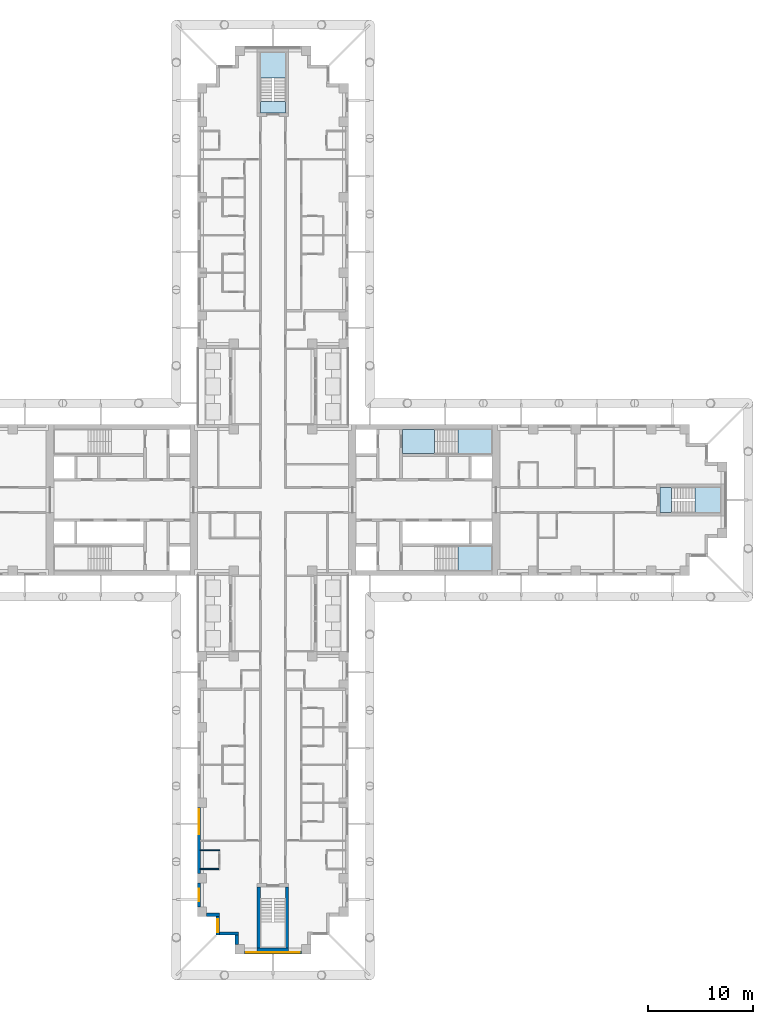
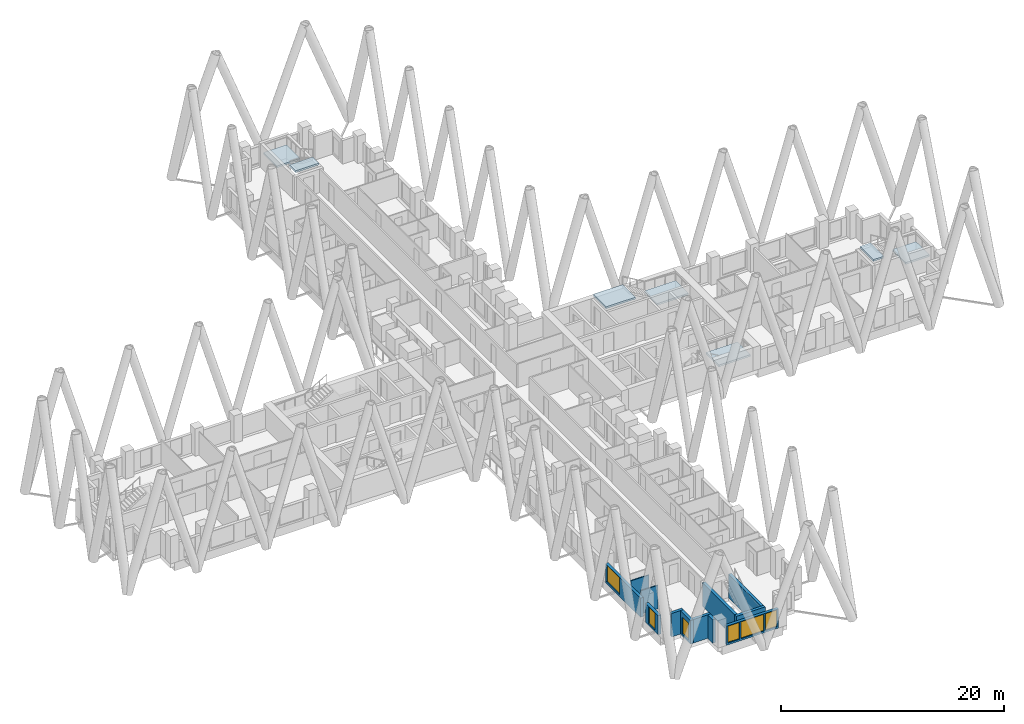
# One storey, part 3 of 17: 12 walls, 7 slabs, 6 windows, 6 openings, 4 elements without a shape of their own.
"""IFC4 building model written with IfcOpenShell, lengths in metres."""

from ifc_helpers import new_model, si_unit, direction, frame, frame_2d, origin, place, context, subcontext, project, spatial, polyline, rectangle, outline, extrude, material, layer, layer_set, type_object, element, fill, aggregate, save


model = new_model("IFC4")

# Units and contexts
model_context = context("Model", 3, precision=1e-05, world=origin(), true_north=direction((0.0, 1.0)))
body_context = subcontext(model_context, "Body", "Model", "MODEL_VIEW")
ifc_project = project(units=[si_unit("LENGTHUNIT", "METRE"), si_unit("AREAUNIT", "SQUARE_METRE"), si_unit("VOLUMEUNIT", "CUBIC_METRE"), si_unit("PLANEANGLEUNIT", "RADIAN"), si_unit("MASSUNIT", "GRAM", prefix="KILO")], contexts=[model_context])

# Site, building, storey
site_placement = place(None, origin())
site = spatial("IfcSite", under=ifc_project, at=site_placement, CompositionType="ELEMENT")
building_placement = place(site_placement, origin())
building = spatial("IfcBuilding", under=site, at=building_placement, Name="Fustian Cross Tower", CompositionType="ELEMENT")
storey_placement = place(building_placement, frame((0.0, 0.0, 32.699951171875)))
storey = spatial("IfcBuildingStorey", under=building, at=storey_placement, Name="L09", CompositionType="ELEMENT", Elevation=32.699951171875)

# Stair, slabs
ifc_material_1 = material(Name="Concrete C50/60", Category="concrete")
stair_type_1 = type_object("IfcStairType", Name="STAIR 1150 HALF TURN", PredefinedType="HALF_TURN_STAIR", material=ifc_material_1)
stair_1_placement = place(storey_placement, origin())
stair_1 = element("IfcStair", 1, at=stair_1_placement, inside=storey, type_object=stair_type_1, Name="Stair ST1", PredefinedType="HALF_TURN_STAIR")
ifc_material_2 = material(Name="Concrete C50/60", Category="concrete")
ifc_layer_1 = layer(ifc_material_2, 0.199951171875)
ifc_layer_set_1 = layer_set([ifc_layer_1], Name="Concrete C50/60")
slab_type = type_object("IfcSlabType", Name="STAIR LANDING", PredefinedType="LANDING", material=ifc_layer_set_1)
slab_1_placement = place(storey_placement, frame((0.0, 0.0, 1.300048828125)))
slab_1 = element("IfcSlab", 2, at=slab_1_placement, type_object=slab_type, Name="ST1 landing 1", PredefinedType="LANDING", context=body_context, shape_type="SweptSolid", body=[
    extrude(outline(polyline([(17.590087890625, 4.39990234375), (20.85009765625, 4.39990234375), (20.85009765625, 6.699951171875), (17.590087890625, 6.699951171875), (17.590087890625, 4.39990234375)])), origin(), (0.0, 0.0, 1.0), 0.199951171875),
])
slab_2_placement = place(storey_placement, frame((0.0, 0.0, 2.800048828125)))
slab_2 = element("IfcSlab", 3, at=slab_2_placement, type_object=slab_type, Name="ST1 landing 2", PredefinedType="LANDING", context=body_context, shape_type="SweptSolid", body=[
    extrude(outline(polyline([(12.300048828125, 4.39990234375), (15.35009765625, 4.39990234375), (15.35009765625, 6.699951171875), (12.300048828125, 6.699951171875), (12.300048828125, 4.39990234375)])), origin(), (0.0, 0.0, 1.0), 0.199951171875),
])
aggregate(stair_1, [slab_1, slab_2])

# Stair, slab
stair_2_placement = place(storey_placement, origin())
stair_2 = element("IfcStair", 4, at=stair_2_placement, inside=storey, type_object=stair_type_1, Name="Stair ST2", PredefinedType="HALF_TURN_STAIR")
slab_3_placement = place(storey_placement, frame((0.0, 0.0, 1.300048828125)))
slab_3 = element("IfcSlab", 5, at=slab_3_placement, type_object=slab_type, Name="ST2 landing 1", PredefinedType="LANDING", context=body_context, shape_type="SweptSolid", body=[
    extrude(outline(polyline([(17.590087890625, -4.39990234375), (20.85009765625, -4.39990234375), (20.85009765625, -6.699951171875), (17.590087890625, -6.699951171875), (17.590087890625, -4.39990234375)])), origin(), (0.0, 0.0, 1.0), 0.199951171875),
])
aggregate(stair_2, [slab_3])

# Stair, slabs
ifc_material_3 = material(Name="Concrete C50/60", Category="concrete")
stair_type_2 = type_object("IfcStairType", Name="STAIR 1100 HALF TURN", PredefinedType="HALF_TURN_STAIR", material=ifc_material_3)
stair_3_placement = place(storey_placement, origin())
stair_3 = element("IfcStair", 6, at=stair_3_placement, inside=storey, type_object=stair_type_2, Name="Stair ST5", PredefinedType="HALF_TURN_STAIR")
slab_4_placement = place(storey_placement, frame((0.0, 0.0, 1.300048828125)))
slab_4 = element("IfcSlab", 7, at=slab_4_placement, type_object=slab_type, Name="ST5 landing 1", PredefinedType="LANDING", context=body_context, shape_type="SweptSolid", body=[
    extrude(outline(polyline([(-1.199951171875, 40.139892578125), (-1.199951171875, 42.60009765625), (1.199951171875, 42.60009765625), (1.199951171875, 40.139892578125), (-1.199951171875, 40.139892578125)])), origin(), (0.0, 0.0, 1.0), 0.199951171875),
])
slab_5_placement = place(storey_placement, frame((0.0, 0.0, 2.800048828125)))
slab_5 = element("IfcSlab", 8, at=slab_5_placement, type_object=slab_type, Name="ST5 landing 2", PredefinedType="LANDING", context=body_context, shape_type="SweptSolid", body=[
    extrude(outline(polyline([(-1.199951171875, 36.800048828125), (-1.199951171875, 37.89990234375), (1.199951171875, 37.89990234375), (1.199951171875, 36.800048828125), (-1.199951171875, 36.800048828125)])), origin(), (0.0, 0.0, 1.0), 0.199951171875),
])
aggregate(stair_3, [slab_4, slab_5])

stair_4_placement = place(storey_placement, origin())
stair_4 = element("IfcStair", 9, at=stair_4_placement, inside=storey, type_object=stair_type_2, Name="Stair ST8", PredefinedType="HALF_TURN_STAIR")
slab_6_placement = place(storey_placement, frame((0.0, 0.0, 1.300048828125)))
slab_6 = element("IfcSlab", 10, at=slab_6_placement, type_object=slab_type, Name="ST8 landing 1", PredefinedType="LANDING", context=body_context, shape_type="SweptSolid", body=[
    extrude(outline(polyline([(40.139892578125, -1.199951171875), (42.60009765625, -1.199951171875), (42.60009765625, 1.199951171875), (40.139892578125, 1.199951171875), (40.139892578125, -1.199951171875)])), origin(), (0.0, 0.0, 1.0), 0.199951171875),
])
slab_7_placement = place(storey_placement, frame((0.0, 0.0, 2.800048828125)))
slab_7 = element("IfcSlab", 11, at=slab_7_placement, type_object=slab_type, Name="ST8 landing 2", PredefinedType="LANDING", context=body_context, shape_type="SweptSolid", body=[
    extrude(outline(polyline([(36.800048828125, -1.199951171875), (37.89990234375, -1.199951171875), (37.89990234375, 1.199951171875), (36.800048828125, 1.199951171875), (36.800048828125, -1.199951171875)])), origin(), (0.0, 0.0, 1.0), 0.199951171875),
])
aggregate(stair_4, [slab_6, slab_7])

# Walls
ifc_material_4 = material(Name="Plasterboard on steel stud", Category="steel")
ifc_layer_2 = layer(ifc_material_4, 0.10009765625)
ifc_layer_set_2 = layer_set([ifc_layer_2], Name="Plasterboard on steel stud")
wall_type_1 = type_object("IfcWallType", Name="PARTITION 100 STUD", PredefinedType="PARTITIONING", material=ifc_layer_set_2)
wall_1_placement = place(storey_placement, frame((-6.89990234375, -35.10009765625, 0.0), z_axis=(0.0, 0.0, 1.0), x_axis=(1.0, 0.0, 0.0)))
element("IfcWall", 12, at=wall_1_placement, inside=storey, type_object=wall_type_1, Name="Partition 9", PredefinedType="PARTITIONING", context=body_context, shape_type="SweptSolid", body=[
    extrude(rectangle(XDim=1.75, YDim=0.10009765625, at=frame_2d((0.875, 0.0))), origin(), (0.0, 0.0, 1.0), 2.574951171875),
])
wall_2_placement = place(storey_placement, frame((-6.89990234375, -33.300048828125, 0.0), z_axis=(0.0, 0.0, 1.0), x_axis=(1.0, 0.0, 0.0)))
element("IfcWall", 13, at=wall_2_placement, inside=storey, type_object=wall_type_1, Name="Partition 10", PredefinedType="PARTITIONING", context=body_context, shape_type="SweptSolid", body=[
    extrude(rectangle(XDim=1.849853515625, YDim=0.10009765625, at=frame_2d((0.9248046875, 0.0))), origin(), (0.0, 0.0, 1.0), 2.574951171875),
])
ifc_material_5 = material(Name="Concrete C50/60", Category="concrete")
ifc_layer_3 = layer(ifc_material_5, 0.300048828125)
ifc_layer_set_3 = layer_set([ifc_layer_3], Name="Concrete C50/60")
wall_type_2 = type_object("IfcWallType", Name="STAIR ENCLOSURE WALL 300 C50/60", PredefinedType="SHEAR", material=ifc_layer_set_3)
wall_3_placement = place(storey_placement, frame((-1.5, -42.75, 0.0), z_axis=(0.0, 0.0, 1.0), x_axis=(1.0, 0.0, 0.0)))
element("IfcWall", 14, at=wall_3_placement, inside=storey, type_object=wall_type_2, Name="Stair enclosure wall", PredefinedType="SHEAR", context=body_context, shape_type="SweptSolid", body=[
    extrude(rectangle(XDim=3.0, YDim=0.300048828125, at=frame_2d((1.5, 0.0))), origin(), (0.0, 0.0, 1.0), 2.574951171875),
])
for number, where, z_axis, x_axis, name in (
    (15, (-1.35009765625, -36.800048828125, 0.0), (0.0, 0.0, 1.0), (0.0, -1.0, 0.0), "Stair enclosure wall"),
    (16, (1.35009765625, -36.800048828125, 0.0), (0.0, 0.0, 1.0), (0.0, -1.0, 0.0), "Stair enclosure wall"),
):
    element("IfcWall", number, at=place(storey_placement, frame(where, z_axis=z_axis, x_axis=x_axis)), inside=storey, type_object=wall_type_2, Name=name, PredefinedType="SHEAR", context=body_context, shape_type="SweptSolid", body=[
        extrude(rectangle(XDim=5.800048828125, YDim=0.300048828125, at=frame_2d((2.89990234375, 0.0))), origin(), (0.0, 0.0, 1.0), 2.574951171875),
    ])

# Wall, opening, window
ifc_material_6 = material(Name="Dark aluminium cladding on insulated backing wall", Category="aluminium")
ifc_layer_4 = layer(ifc_material_6, 0.300048828125)
ifc_layer_set_4 = layer_set([ifc_layer_4], Name="Dark aluminium cladding on insulated backing wall")
wall_type_3 = type_object("IfcWallType", Name="XW1 EXTERNAL WALL 300", PredefinedType="SOLIDWALL", material=ifc_layer_set_4)
wall_4_placement = place(storey_placement, frame((-7.050048828125, -29.25, 0.0), z_axis=(0.0, 0.0, 1.0), x_axis=(0.0, -1.0, 0.0)))
wall_4 = element("IfcWall", 17, at=wall_4_placement, inside=storey, type_object=wall_type_3, Name="External wall", PredefinedType="SOLIDWALL", context=body_context, shape_type="SweptSolid", body=[
    extrude(rectangle(XDim=6.300048828125, YDim=0.300048828125, at=frame_2d((3.14990234375, 0.0))), origin(), (0.0, 0.0, 1.0), 2.10009765625),
])
opening_1_placement = place(wall_4_placement, frame((0.14990234375, 0.0, 0.199951171875)))
opening_1 = element("IfcOpeningElement", 18, at=opening_1_placement, cuts=wall_4, Name="Opening WN1", PredefinedType="OPENING", context=body_context, shape_type="SweptSolid", body=[
    extrude(rectangle(XDim=2.39990234375, YDim=1.85009765625, at=frame_2d((1.199951171875, 0.925048828125))), frame((0.0, 0.159912109375, 0.0), z_axis=(0.0, -1.0, 0.0), x_axis=(1.0, 0.0, 0.0)), (0.0, 0.0, 1.0), 0.320068359375),
])
ifc_material_7 = material(Name="Dark anodised aluminium and double glazing", Category="aluminium")
window_type_1 = type_object("IfcWindowType", Name="WN1 WINDOW 2400X1850", PartitioningType="SINGLE_PANEL", PredefinedType="WINDOW", material=ifc_material_7)
window_1_placement = place(opening_1_placement, origin())
window_1 = element("IfcWindow", 19, at=window_1_placement, inside=storey, type_object=window_type_1, Name="Window", OverallHeight=1.85009765625, OverallWidth=2.39990234375, PartitioningType="SINGLE_PANEL", PredefinedType="WINDOW", context=body_context, shape_type="SweptSolid", body=[
    extrude(rectangle(XDim=2.39990234375, YDim=1.85009765625, at=frame_2d((1.199951171875, 0.925048828125))), frame((0.0, 0.030029296875, 0.0), z_axis=(0.0, -1.0, 0.0), x_axis=(1.0, 0.0, 0.0)), (0.0, 0.0, 1.0), 0.06005859375),
])
fill(opening_1, window_1)

wall_5_placement = place(storey_placement, frame((-7.050048828125, -36.449951171875, 0.0), z_axis=(0.0, 0.0, 1.0), x_axis=(0.0, -1.0, 0.0)))
wall_5 = element("IfcWall", 20, at=wall_5_placement, inside=storey, type_object=wall_type_3, Name="External wall", PredefinedType="SOLIDWALL", context=body_context, shape_type="SweptSolid", body=[
    extrude(rectangle(XDim=2.25, YDim=0.300048828125, at=frame_2d((1.125, 0.0))), origin(), (0.0, 0.0, 1.0), 2.10009765625),
])
opening_2_placement = place(wall_5_placement, frame((0.52490234375, 0.0, 0.199951171875)))
opening_2 = element("IfcOpeningElement", 21, at=opening_2_placement, cuts=wall_5, Name="Opening WN3", PredefinedType="OPENING", context=body_context, shape_type="SweptSolid", body=[
    extrude(rectangle(XDim=1.199951171875, YDim=1.85009765625, at=frame_2d((0.60009765625, 0.925048828125))), frame((0.0, 0.159912109375, 0.0), z_axis=(0.0, -1.0, 0.0), x_axis=(1.0, 0.0, 0.0)), (0.0, 0.0, 1.0), 0.320068359375),
])
ifc_material_8 = material(Name="Dark anodised aluminium and double glazing", Category="aluminium")
window_type_2 = type_object("IfcWindowType", Name="WN3 WINDOW 1200X1850", PartitioningType="SINGLE_PANEL", PredefinedType="WINDOW", material=ifc_material_8)
window_2_placement = place(opening_2_placement, origin())
window_2 = element("IfcWindow", 22, at=window_2_placement, inside=storey, type_object=window_type_2, Name="Window", OverallHeight=1.85009765625, OverallWidth=1.199951171875, PartitioningType="SINGLE_PANEL", PredefinedType="WINDOW", context=body_context, shape_type="SweptSolid", body=[
    extrude(rectangle(XDim=1.199951171875, YDim=1.85009765625, at=frame_2d((0.60009765625, 0.925048828125))), frame((0.0, 0.030029296875, 0.0), z_axis=(0.0, -1.0, 0.0), x_axis=(1.0, 0.0, 0.0)), (0.0, 0.0, 1.0), 0.06005859375),
])
fill(opening_2, window_2)

# Wall
wall_6_placement = place(storey_placement, frame((-6.300048828125, -39.449951171875, 0.0), z_axis=(0.0, 0.0, 1.0), x_axis=(1.0, 0.0, 0.0)))
element("IfcWall", 23, at=wall_6_placement, inside=storey, type_object=wall_type_3, Name="External wall", PredefinedType="SOLIDWALL", context=body_context, shape_type="SweptSolid", body=[
    extrude(rectangle(XDim=1.199951171875, YDim=0.300048828125, at=frame_2d((0.60009765625, 0.0))), origin(), (0.0, 0.0, 1.0), 2.574951171875),
])

# Wall, opening, window
wall_7_placement = place(storey_placement, frame((-5.25, -39.60009765625, 0.0), z_axis=(0.0, 0.0, 1.0), x_axis=(0.0, -1.0, 0.0)))
wall_7 = element("IfcWall", 24, at=wall_7_placement, inside=storey, type_object=wall_type_3, Name="External wall", PredefinedType="SOLIDWALL", context=body_context, shape_type="SweptSolid", body=[
    extrude(rectangle(XDim=1.7998046875, YDim=0.300048828125, at=frame_2d((0.89990234375, 0.0))), origin(), (0.0, 0.0, 1.0), 2.574951171875),
])
opening_3_placement = place(wall_7_placement, frame((0.300048828125, 0.0, 0.199951171875)))
opening_3 = element("IfcOpeningElement", 25, at=opening_3_placement, cuts=wall_7, Name="Opening WN3", PredefinedType="OPENING", context=body_context, shape_type="SweptSolid", body=[
    extrude(rectangle(XDim=1.199951171875, YDim=1.85009765625, at=frame_2d((0.60009765625, 0.925048828125))), frame((0.0, 0.159912109375, 0.0), z_axis=(0.0, -1.0, 0.0), x_axis=(1.0, 0.0, 0.0)), (0.0, 0.0, 1.0), 0.320068359375),
])
window_3_placement = place(opening_3_placement, origin())
window_3 = element("IfcWindow", 26, at=window_3_placement, inside=storey, type_object=window_type_2, Name="Window", OverallHeight=1.85009765625, OverallWidth=1.199951171875, PartitioningType="SINGLE_PANEL", PredefinedType="WINDOW", context=body_context, shape_type="SweptSolid", body=[
    extrude(rectangle(XDim=1.199951171875, YDim=1.85009765625, at=frame_2d((0.60009765625, 0.925048828125))), frame((0.0, 0.030029296875, 0.0), z_axis=(0.0, -1.0, 0.0), x_axis=(1.0, 0.0, 0.0)), (0.0, 0.0, 1.0), 0.06005859375),
])
fill(opening_3, window_3)

# Walls
wall_8_placement = place(storey_placement, frame((-5.10009765625, -41.25, 0.0), z_axis=(0.0, 0.0, 1.0), x_axis=(1.0, 0.0, 0.0)))
element("IfcWall", 27, at=wall_8_placement, inside=storey, type_object=wall_type_3, Name="External wall", PredefinedType="SOLIDWALL", context=body_context, shape_type="SweptSolid", body=[
    extrude(rectangle(XDim=1.800048828125, YDim=0.300048828125, at=frame_2d((0.89990234375, 0.0))), origin(), (0.0, 0.0, 1.0), 2.574951171875),
])
wall_9_placement = place(storey_placement, frame((-3.449951171875, -41.39990234375, 0.0), z_axis=(0.0, 0.0, 1.0), x_axis=(0.0, -1.0, 0.0)))
element("IfcWall", 28, at=wall_9_placement, inside=storey, type_object=wall_type_3, Name="External wall", PredefinedType="SOLIDWALL", context=body_context, shape_type="SweptSolid", body=[
    extrude(rectangle(XDim=0.900146484375, YDim=0.300048828125, at=frame_2d((0.4501953125, 0.0))), origin(), (0.0, 0.0, 1.0), 2.574951171875),
])

# Wall, openings, windows
wall_10_placement = place(storey_placement, frame((-2.699951171875, -43.050048828125, 0.0), z_axis=(0.0, 0.0, 1.0), x_axis=(1.0, 0.0, 0.0)))
wall_10 = element("IfcWall", 29, at=wall_10_placement, inside=storey, type_object=wall_type_3, Name="External wall", PredefinedType="SOLIDWALL", context=body_context, shape_type="SweptSolid", body=[
    extrude(rectangle(XDim=5.39990234375, YDim=0.300048828125, at=frame_2d((2.699951171875, 0.0))), origin(), (0.0, 0.0, 1.0), 2.10009765625),
])
opening_4_placement = place(wall_10_placement, frame((1.5, 0.0, 0.199951171875)))
opening_4 = element("IfcOpeningElement", 30, at=opening_4_placement, cuts=wall_10, Name="Opening WN1", PredefinedType="OPENING", context=body_context, shape_type="SweptSolid", body=[
    extrude(rectangle(XDim=2.39990234375, YDim=1.85009765625, at=frame_2d((1.199951171875, 0.925048828125))), frame((0.0, 0.159912109375, 0.0), z_axis=(0.0, -1.0, 0.0), x_axis=(1.0, 0.0, 0.0)), (0.0, 0.0, 1.0), 0.320068359375),
])
opening_5_placement = place(wall_10_placement, frame((0.14990234375, 0.0, 0.199951171875)))
opening_5 = element("IfcOpeningElement", 31, at=opening_5_placement, cuts=wall_10, Name="Opening WN3", PredefinedType="OPENING", context=body_context, shape_type="SweptSolid", body=[
    extrude(rectangle(XDim=1.199951171875, YDim=1.85009765625, at=frame_2d((0.60009765625, 0.925048828125))), frame((0.0, 0.159912109375, 0.0), z_axis=(0.0, -1.0, 0.0), x_axis=(1.0, 0.0, 0.0)), (0.0, 0.0, 1.0), 0.320068359375),
])
opening_6_placement = place(wall_10_placement, frame((4.050048828125, 0.0, 0.199951171875)))
opening_6 = element("IfcOpeningElement", 32, at=opening_6_placement, cuts=wall_10, Name="Opening WN3", PredefinedType="OPENING", context=body_context, shape_type="SweptSolid", body=[
    extrude(rectangle(XDim=1.199951171875, YDim=1.85009765625, at=frame_2d((0.60009765625, 0.925048828125))), frame((0.0, 0.159912109375, 0.0), z_axis=(0.0, -1.0, 0.0), x_axis=(1.0, 0.0, 0.0)), (0.0, 0.0, 1.0), 0.320068359375),
])
window_4_placement = place(opening_4_placement, origin())
window_4 = element("IfcWindow", 33, at=window_4_placement, inside=storey, type_object=window_type_1, Name="Window", OverallHeight=1.85009765625, OverallWidth=2.39990234375, PartitioningType="SINGLE_PANEL", PredefinedType="WINDOW", context=body_context, shape_type="SweptSolid", body=[
    extrude(rectangle(XDim=2.39990234375, YDim=1.85009765625, at=frame_2d((1.199951171875, 0.925048828125))), frame((0.0, 0.030029296875, 0.0), z_axis=(0.0, -1.0, 0.0), x_axis=(1.0, 0.0, 0.0)), (0.0, 0.0, 1.0), 0.06005859375),
])
fill(opening_4, window_4)
window_5_placement = place(opening_5_placement, origin())
window_5 = element("IfcWindow", 34, at=window_5_placement, inside=storey, type_object=window_type_2, Name="Window", OverallHeight=1.85009765625, OverallWidth=1.199951171875, PartitioningType="SINGLE_PANEL", PredefinedType="WINDOW", context=body_context, shape_type="SweptSolid", body=[
    extrude(rectangle(XDim=1.199951171875, YDim=1.85009765625, at=frame_2d((0.60009765625, 0.925048828125))), frame((0.0, 0.030029296875, 0.0), z_axis=(0.0, -1.0, 0.0), x_axis=(1.0, 0.0, 0.0)), (0.0, 0.0, 1.0), 0.06005859375),
])
fill(opening_5, window_5)
window_6_placement = place(opening_6_placement, origin())
window_6 = element("IfcWindow", 35, at=window_6_placement, inside=storey, type_object=window_type_2, Name="Window", OverallHeight=1.85009765625, OverallWidth=1.199951171875, PartitioningType="SINGLE_PANEL", PredefinedType="WINDOW", context=body_context, shape_type="SweptSolid", body=[
    extrude(rectangle(XDim=1.199951171875, YDim=1.85009765625, at=frame_2d((0.60009765625, 0.925048828125))), frame((0.0, 0.030029296875, 0.0), z_axis=(0.0, -1.0, 0.0), x_axis=(1.0, 0.0, 0.0)), (0.0, 0.0, 1.0), 0.06005859375),
])
fill(opening_6, window_6)

save(model, "model.ifc")
